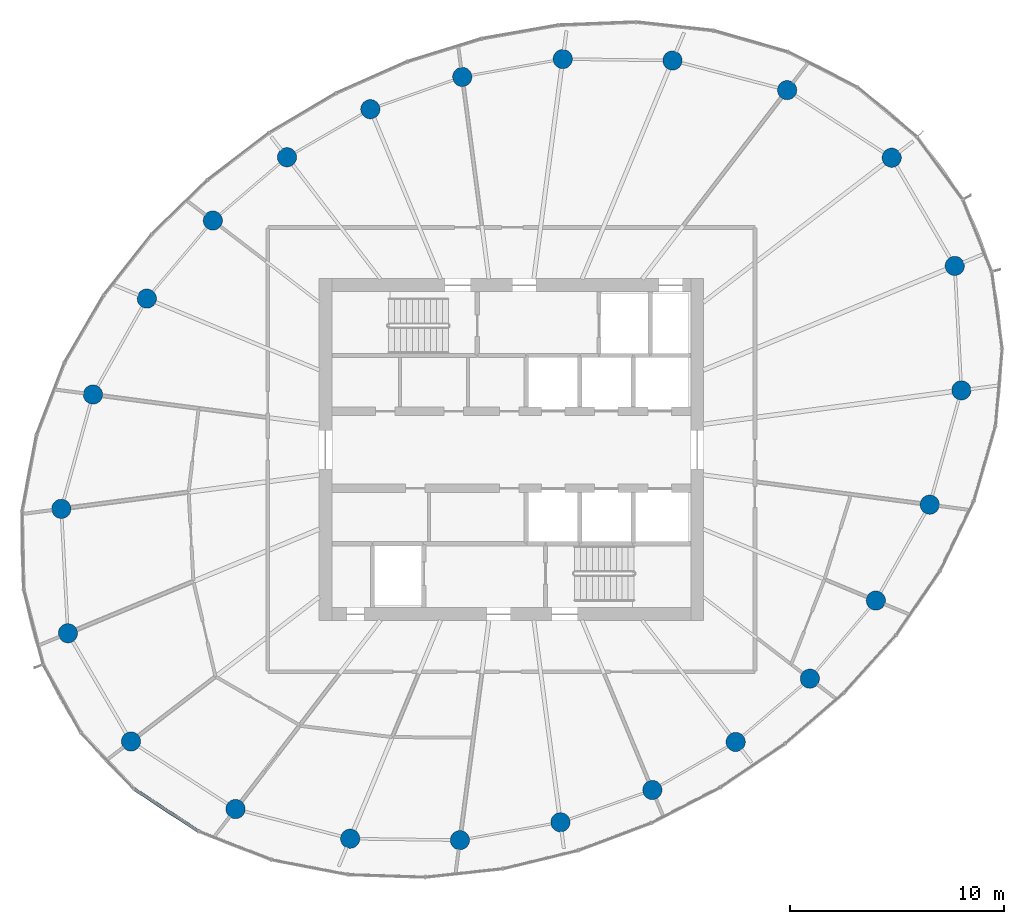
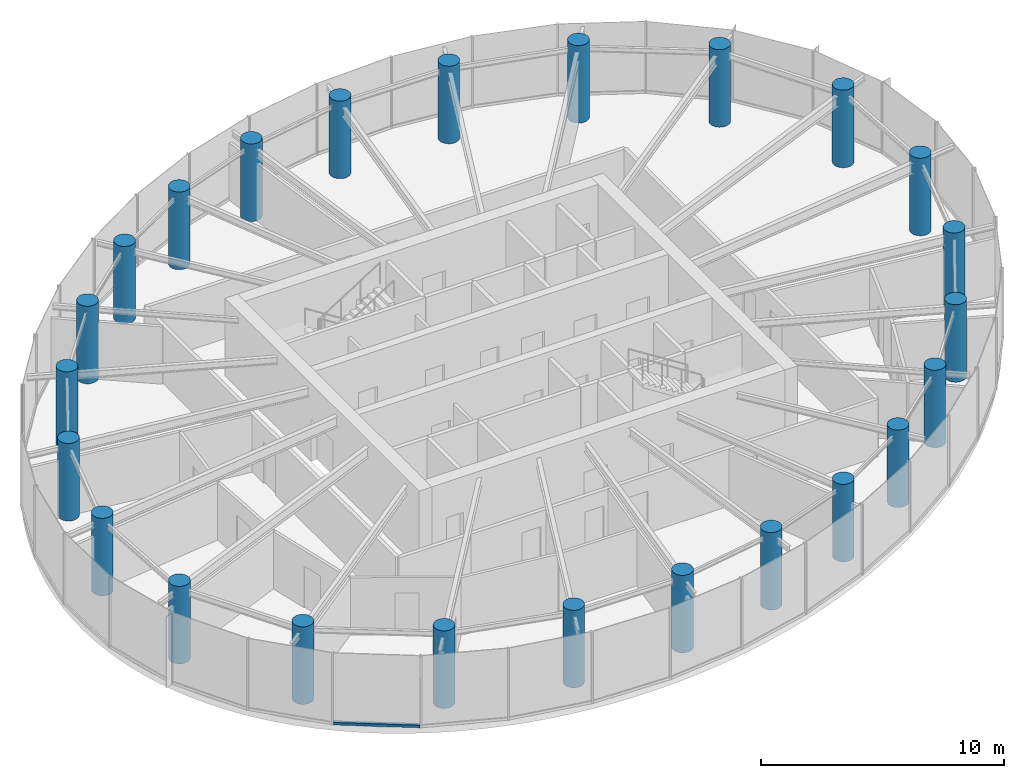
# One storey, part 1 of 13: 24 columns, 1 member, 1 element without a shape of its own.
"""IFC4 building model written with IfcOpenShell, lengths in metres."""

from ifc_helpers import new_model, si_unit, direction, frame, origin, origin_2d, place, context, subcontext, project, spatial, rectangle, circle, extrude, source, transform, mapped, material, layer, layer_set, material_profile, profile_set, type_object, element, aggregate, save


model = new_model("IFC4")

# Units and contexts
model_context = context("Model", 3, precision=1e-05, world=origin(), true_north=direction((0.0, 1.0)))
body_context = subcontext(model_context, "Body", "Model", "MODEL_VIEW")
ifc_project = project(units=[si_unit("LENGTHUNIT", "METRE"), si_unit("AREAUNIT", "SQUARE_METRE"), si_unit("VOLUMEUNIT", "CUBIC_METRE"), si_unit("PLANEANGLEUNIT", "RADIAN"), si_unit("MASSUNIT", "GRAM", prefix="KILO")], contexts=[model_context])

# Site, building, storey
site_placement = place(None, origin())
site = spatial("IfcSite", under=ifc_project, at=site_placement, CompositionType="ELEMENT")
building_placement = place(site_placement, origin())
building = spatial("IfcBuilding", under=site, at=building_placement, Name="Spindrift Exchange Tower", CompositionType="ELEMENT")
storey_placement = place(building_placement, frame((0.0, 0.0, 218.89990234375)))
storey = spatial("IfcBuildingStorey", under=building, at=storey_placement, Name="L53", CompositionType="ELEMENT", Elevation=218.89990234375)

# Columns
ifc_material_1 = material(Name="Concrete 50 MPa", Category="concrete")
ifc_material_profile_1 = material_profile(ifc_material_1, circle(Radius=0.449951171875, at=origin_2d()), Name="RC D900")
ifc_profile_set_1 = profile_set([ifc_material_profile_1], Name="Concrete 50 MPa")
column_type = type_object("IfcColumnType", Name="RC Perimeter Column D900 Concrete 50 MPa", PredefinedType="COLUMN", material=ifc_profile_set_1)
shared_shape_1 = source(origin(), body_context, "Body", "SweptSolid", [
    extrude(circle(Radius=0.449951171875, at=origin_2d()), origin(), (0.0, 0.0, 1.0), 3.900146484375),
])
for number, where, z_axis, x_axis, name in (
    (1, (73.062255859375, 50.77294921875, 0.0), (0.0, 0.0, 1.0), (1.0, 0.0, 0.0), "Perimeter column P4-01 L53"),
    (2, (72.753173828125, 56.59619140625, 0.0), (0.0, 0.0, 1.0), (1.0, 0.0, 0.0), "Perimeter column P4-02 L53"),
    (3, (69.802001953125, 61.659912109375, 0.0), (0.0, 0.0, 1.0), (1.0, 0.0, 0.0), "Perimeter column P4-03 L53"),
    (4, (64.90869140625, 64.822998046875, 0.0), (0.0, 0.0, 1.0), (1.0, 0.0, 0.0), "Perimeter column P4-04 L53"),
    (5, (59.542724609375, 66.209716796875, 0.0), (0.0, 0.0, 1.0), (1.0, 0.0, 0.0), "Perimeter column P4-05 L53"),
    (6, (54.406494140625, 66.2783203125, 0.0), (0.0, 0.0, 1.0), (1.0, 0.0, 0.0), "Perimeter column P4-06 L53"),
    (7, (49.70361328125, 65.4423828125, 0.0), (0.0, 0.0, 1.0), (1.0, 0.0, 0.0), "Perimeter column P4-07 L53"),
    (8, (45.40087890625, 63.931396484375, 0.0), (0.0, 0.0, 1.0), (1.0, 0.0, 0.0), "Perimeter column P4-08 L53"),
    (9, (41.500732421875, 61.68310546875, 0.0), (0.0, 0.0, 1.0), (1.0, 0.0, 0.0), "Perimeter column P4-09 L53"),
    (10, (38.029052734375, 58.72021484375, 0.0), (0.0, 0.0, 1.0), (1.0, 0.0, 0.0), "Perimeter column P4-10 L53"),
    (11, (34.940673828125, 55.066162109375, 0.0), (0.0, 0.0, 1.0), (1.0, 0.0, 0.0), "Perimeter column P4-11 L53"),
    (12, (32.4189453125, 50.577880859375, 0.0), (0.0, 0.0, 1.0), (1.0, 0.0, 0.0), "Perimeter column P4-12 L53"),
    (13, (30.937744140625, 45.22705078125, 0.0), (0.0, 0.0, 1.0), (1.0, 0.0, 0.0), "Perimeter column P4-13 L53"),
    (14, (31.246826171875, 39.40380859375, 0.0), (0.0, 0.0, 1.0), (1.0, 0.0, 0.0), "Perimeter column P4-14 L53"),
    (15, (34.197998046875, 34.340087890625, 0.0), (0.0, 0.0, 1.0), (1.0, 0.0, 0.0), "Perimeter column P4-15 L53"),
    (16, (39.09130859375, 31.177001953125, 0.0), (0.0, 0.0, 1.0), (1.0, 0.0, 0.0), "Perimeter column P4-16 L53"),
    (17, (44.457275390625, 29.790283203125, 0.0), (0.0, 0.0, 1.0), (1.0, 0.0, 0.0), "Perimeter column P4-17 L53"),
    (18, (49.593505859375, 29.7216796875, 0.0), (0.0, 0.0, 1.0), (1.0, 0.0, 0.0), "Perimeter column P4-18 L53"),
    (19, (54.29638671875, 30.5576171875, 0.0), (0.0, 0.0, 1.0), (1.0, 0.0, 0.0), "Perimeter column P4-19 L53"),
    (20, (58.59912109375, 32.068603515625, 0.0), (0.0, 0.0, 1.0), (1.0, 0.0, 0.0), "Perimeter column P4-20 L53"),
    (21, (62.499267578125, 34.31689453125, 0.0), (0.0, 0.0, 1.0), (1.0, 0.0, 0.0), "Perimeter column P4-21 L53"),
    (22, (65.970947265625, 37.27978515625, 0.0), (0.0, 0.0, 1.0), (1.0, 0.0, 0.0), "Perimeter column P4-22 L53"),
    (23, (69.059326171875, 40.933837890625, 0.0), (0.0, 0.0, 1.0), (1.0, 0.0, 0.0), "Perimeter column P4-23 L53"),
    (24, (71.5810546875, 45.422119140625, 0.0), (0.0, 0.0, 1.0), (1.0, 0.0, 0.0), "Perimeter column P4-24 L53"),
):
    element("IfcColumn", number, at=place(storey_placement, frame(where, z_axis=z_axis, x_axis=x_axis)), inside=storey, type_object=column_type, Name=name, PredefinedType="COLUMN", context=body_context, shape_type="MappedRepresentation", body=[
        mapped(shared_shape_1, transform((0.0, 0.0, 0.0), scale=1.0)),
    ])

# Curtain wall, member
ifc_material_2 = material(Name="Fritted laminated glass with bronze frame", Category="glass")
ifc_layer = layer(ifc_material_2, 0.169921875)
ifc_layer_set = layer_set([ifc_layer], Name="ZONE 4 BRONZE FRITTED WALL")
curtain_wall_type = type_object("IfcCurtainWallType", Name="ZONE 4 BRONZE FRITTED WALL", PredefinedType="NOTDEFINED", material=ifc_layer_set)
curtain_wall_placement = place(storey_placement, origin())
curtain_wall = element("IfcCurtainWall", 25, at=curtain_wall_placement, inside=storey, type_object=curtain_wall_type, Name="L53 Zone 4 Bronze Fritted Wall run 4", PredefinedType="NOTDEFINED")
ifc_material_3 = material(Name="Bronze anodised aluminium", Category="aluminium")
ifc_material_profile_2 = material_profile(ifc_material_3, rectangle(XDim=0.14990234375, YDim=0.125, at=origin_2d()), Name="ZONE 4 BRONZE FRITTED WALL TRANSOM 150X125")
ifc_profile_set_2 = profile_set([ifc_material_profile_2], Name="Bronze anodised aluminium")
member_type = type_object("IfcMemberType", Name="ZONE 4 BRONZE FRITTED WALL TRANSOM 150X125", PredefinedType="USERDEFINED", material=ifc_profile_set_2)
shared_shape_2 = source(origin(), body_context, "Body", "SweptSolid", [
    extrude(rectangle(XDim=0.14990234375, YDim=0.125, at=origin_2d()), origin(), (0.0, 0.0, 1.0), 3.572265625),
])
member_placement = place(storey_placement, frame((34.366943359375, 32.102294921875, 0.0625), z_axis=(0.836232037111, -0.548375765428, 0.0), x_axis=(0.548375765428, 0.836232037111, 0.0)))
member = element("IfcMember", 26, at=member_placement, type_object=member_type, Name="L53 transom CW-4.21", ObjectType="TRANSOM", PredefinedType="USERDEFINED", context=body_context, shape_type="MappedRepresentation", body=[
    mapped(shared_shape_2, transform((0.0, 0.0, 0.0), scale=1.0)),
])
aggregate(curtain_wall, [member])

save(model, "model.ifc")
